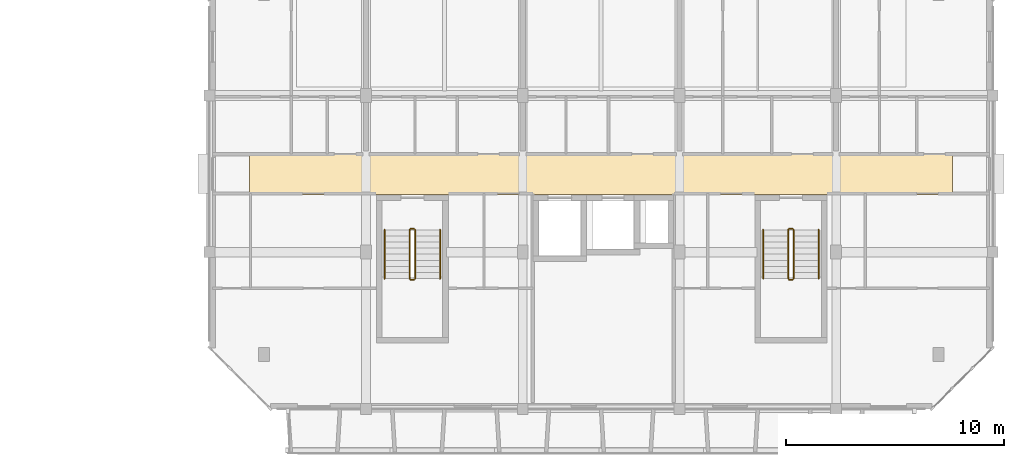
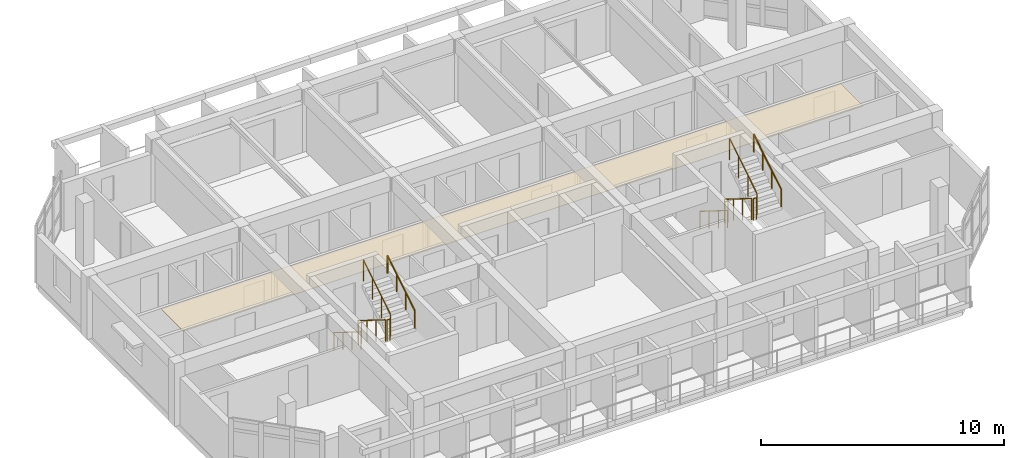
# One storey, part 44 of 45: 12 railings, 1 covering.
"""IFC4 building model written with IfcOpenShell, lengths in metres."""

from ifc_helpers import new_model, si_unit, direction, frame, origin, origin_2d, place, context, subcontext, project, spatial, polyline, circle, outline, extrude, material, layer, layer_set, type_object, element, save


model = new_model("IFC4")

# Units and contexts
model_context = context("Model", 3, precision=1e-05, world=origin(), true_north=direction((0.0, 1.0)))
body_context = subcontext(model_context, "Body", "Model", "MODEL_VIEW")
ifc_project = project(units=[si_unit("LENGTHUNIT", "METRE"), si_unit("AREAUNIT", "SQUARE_METRE"), si_unit("VOLUMEUNIT", "CUBIC_METRE"), si_unit("PLANEANGLEUNIT", "RADIAN"), si_unit("MASSUNIT", "GRAM", prefix="KILO")], contexts=[model_context])

# Site, building, storey
site_placement = place(None, origin())
site = spatial("IfcSite", under=ifc_project, at=site_placement, CompositionType="ELEMENT")
building_placement = place(site_placement, origin())
building = spatial("IfcBuilding", under=site, at=building_placement, Name="Ochrevale Crest", CompositionType="ELEMENT")
storey_placement = place(building_placement, frame((0.0, 0.0, 18.14990234375)))
storey = spatial("IfcBuildingStorey", under=building, at=storey_placement, Name="L05", CompositionType="ELEMENT", Elevation=18.14990234375)

# Covering
ifc_material_1 = material(Name="Gypsum plasterboard", Category="gypsum")
ifc_layer = layer(ifc_material_1, 0.02490234375)
ifc_layer_set = layer_set([ifc_layer], Name="Gypsum plasterboard")
covering_type = type_object("IfcCoveringType", Name="COV-CEIL-GYP", PredefinedType="CEILING", material=ifc_layer_set)
covering_placement = place(storey_placement, frame((0.0, 0.0, 2.280029296875)))
element("IfcCovering", 1, at=covering_placement, inside=storey, type_object=covering_type, Name="Block D L05 acoustic corridor ceiling", PredefinedType="CEILING", context=body_context, shape_type="SweptSolid", body=[
    extrude(outline(polyline([(131.449951171875, 81.860107421875), (163.75, 81.860107421875), (163.75, 83.739990234375), (131.449951171875, 83.739990234375), (131.449951171875, 81.860107421875)])), origin(), (0.0, 0.0, 1.0), 0.025146484375),
])

# Railings
ifc_material_2 = material(Name="Galvanised steel", Category="steel")
railing_type_1 = type_object("IfcRailingType", Name="RL-ST-GUARD", PredefinedType="BALUSTRADE", material=ifc_material_2)
railing_1_placement = place(storey_placement, frame((138.800048828125, 80.22509765625, 0.175048828125)))
element("IfcRailing", 2, at=railing_1_placement, inside=storey, type_object=railing_type_1, Name="L05 ST-D1 stair guard 1", PredefinedType="BALUSTRADE", context=body_context, shape_type="SweptSolid", body=[
    extrude(circle(Radius=0.02392578125, at=origin_2d()), frame((0.0, 0.0, 1.076171875), z_axis=(0.0, -0.847972341737, 0.530040477369), x_axis=(1.0, 0.0, 0.0)), (0.0, 0.0, 1.0), 2.6416015625),
    extrude(circle(Radius=0.02099609375, at=origin_2d()), origin(), (0.0, 0.0, 1.0), 1.052001953125),
    extrude(circle(Radius=0.02099609375, at=origin_2d()), frame((0.0, -0.74658203125, 0.466796875)), (0.0, 0.0, 1.0), 1.052001953125),
    extrude(circle(Radius=0.02099609375, at=origin_2d()), frame((0.0, -1.493408203125, 0.933349609375)), (0.0, 0.0, 1.0), 1.052001953125),
    extrude(circle(Radius=0.02099609375, at=origin_2d()), frame((0.0, -2.239990234375, 1.400146484375)), (0.0, 0.0, 1.0), 1.052001953125),
])
railing_2_placement = place(storey_placement, frame((138.85009765625, 77.93505859375, 1.5751953125)))
element("IfcRailing", 3, at=railing_2_placement, inside=storey, type_object=railing_type_1, Name="L05 ST-D1 stair guard 2", PredefinedType="BALUSTRADE", context=body_context, shape_type="SweptSolid", body=[
    extrude(circle(Radius=0.02392578125, at=origin_2d()), frame((0.0, 0.0, 1.076171875), z_axis=(1.0, 0.0, 0.0), x_axis=(0.0, 1.0, 0.0)), (0.0, 0.0, 1.0), 0.14990234375),
    extrude(circle(Radius=0.02099609375, at=origin_2d()), origin(), (0.0, 0.0, 1.0), 1.052001953125),
    extrude(circle(Radius=0.02099609375, at=origin_2d()), frame((0.14990234375, 0.0, 0.0)), (0.0, 0.0, 1.0), 1.052001953125),
])
railing_3_placement = place(storey_placement, frame((139.050048828125, 77.985107421875, 1.75)))
element("IfcRailing", 4, at=railing_3_placement, inside=storey, type_object=railing_type_1, Name="L05 ST-D1 stair guard 3", PredefinedType="BALUSTRADE", context=body_context, shape_type="SweptSolid", body=[
    extrude(circle(Radius=0.02392578125, at=origin_2d()), frame((0.0, 0.0, 1.076171875), z_axis=(0.0, 0.847972341737, 0.530040477369), x_axis=(-1.0, 0.0, 0.0)), (0.0, 0.0, 1.0), 2.6416015625),
    extrude(circle(Radius=0.02099609375, at=origin_2d()), origin(), (0.0, 0.0, 1.0), 1.052001953125),
    extrude(circle(Radius=0.02099609375, at=origin_2d()), frame((0.0, 0.74658203125, 0.466796875)), (0.0, 0.0, 1.0), 1.052001953125),
    extrude(circle(Radius=0.02099609375, at=origin_2d()), frame((0.0, 1.493408203125, 0.933349609375)), (0.0, 0.0, 1.0), 1.052001953125),
    extrude(circle(Radius=0.02099609375, at=origin_2d()), frame((0.0, 2.239990234375, 1.400146484375)), (0.0, 0.0, 1.0), 1.052001953125),
])
railing_4_placement = place(storey_placement, frame((138.85009765625, 80.27490234375, 0.0)))
element("IfcRailing", 5, at=railing_4_placement, inside=storey, type_object=railing_type_1, Name="L05 ST-D1 stair guard 4", PredefinedType="BALUSTRADE", context=body_context, shape_type="SweptSolid", body=[
    extrude(circle(Radius=0.02392578125, at=origin_2d()), frame((0.0, 0.0, 1.076171875), z_axis=(1.0, 0.0, 0.0), x_axis=(0.0, 1.0, 0.0)), (0.0, 0.0, 1.0), 0.14990234375),
    extrude(circle(Radius=0.02099609375, at=origin_2d()), origin(), (0.0, 0.0, 1.0), 1.052001953125),
    extrude(circle(Radius=0.02099609375, at=origin_2d()), frame((0.14990234375, 0.0, 0.0)), (0.0, 0.0, 1.0), 1.052001953125),
])
railing_5_placement = place(storey_placement, frame((156.199951171875, 80.22509765625, 0.175048828125)))
element("IfcRailing", 6, at=railing_5_placement, inside=storey, type_object=railing_type_1, Name="L05 ST-D2 stair guard 1", PredefinedType="BALUSTRADE", context=body_context, shape_type="SweptSolid", body=[
    extrude(circle(Radius=0.02392578125, at=origin_2d()), frame((0.0, 0.0, 1.076171875), z_axis=(0.0, -0.847972341737, 0.530040477369), x_axis=(1.0, 0.0, 0.0)), (0.0, 0.0, 1.0), 2.6416015625),
    extrude(circle(Radius=0.02099609375, at=origin_2d()), origin(), (0.0, 0.0, 1.0), 1.052001953125),
    extrude(circle(Radius=0.02099609375, at=origin_2d()), frame((0.0, -0.74658203125, 0.466796875)), (0.0, 0.0, 1.0), 1.052001953125),
    extrude(circle(Radius=0.02099609375, at=origin_2d()), frame((0.0, -1.493408203125, 0.933349609375)), (0.0, 0.0, 1.0), 1.052001953125),
    extrude(circle(Radius=0.02099609375, at=origin_2d()), frame((0.0, -2.239990234375, 1.400146484375)), (0.0, 0.0, 1.0), 1.052001953125),
])
railing_6_placement = place(storey_placement, frame((156.25, 77.93505859375, 1.5751953125)))
element("IfcRailing", 7, at=railing_6_placement, inside=storey, type_object=railing_type_1, Name="L05 ST-D2 stair guard 2", PredefinedType="BALUSTRADE", context=body_context, shape_type="SweptSolid", body=[
    extrude(circle(Radius=0.02392578125, at=origin_2d()), frame((0.0, 0.0, 1.076171875), z_axis=(1.0, 0.0, 0.0), x_axis=(0.0, 1.0, 0.0)), (0.0, 0.0, 1.0), 0.14990234375),
    extrude(circle(Radius=0.02099609375, at=origin_2d()), origin(), (0.0, 0.0, 1.0), 1.052001953125),
    extrude(circle(Radius=0.02099609375, at=origin_2d()), frame((0.14990234375, 0.0, 0.0)), (0.0, 0.0, 1.0), 1.052001953125),
])
railing_7_placement = place(storey_placement, frame((156.449951171875, 77.985107421875, 1.75)))
element("IfcRailing", 8, at=railing_7_placement, inside=storey, type_object=railing_type_1, Name="L05 ST-D2 stair guard 3", PredefinedType="BALUSTRADE", context=body_context, shape_type="SweptSolid", body=[
    extrude(circle(Radius=0.02392578125, at=origin_2d()), frame((0.0, 0.0, 1.076171875), z_axis=(0.0, 0.847972341737, 0.530040477369), x_axis=(-1.0, 0.0, 0.0)), (0.0, 0.0, 1.0), 2.6416015625),
    extrude(circle(Radius=0.02099609375, at=origin_2d()), origin(), (0.0, 0.0, 1.0), 1.052001953125),
    extrude(circle(Radius=0.02099609375, at=origin_2d()), frame((0.0, 0.74658203125, 0.466796875)), (0.0, 0.0, 1.0), 1.052001953125),
    extrude(circle(Radius=0.02099609375, at=origin_2d()), frame((0.0, 1.493408203125, 0.933349609375)), (0.0, 0.0, 1.0), 1.052001953125),
    extrude(circle(Radius=0.02099609375, at=origin_2d()), frame((0.0, 2.239990234375, 1.400146484375)), (0.0, 0.0, 1.0), 1.052001953125),
])
railing_8_placement = place(storey_placement, frame((156.25, 80.27490234375, 0.0)))
element("IfcRailing", 9, at=railing_8_placement, inside=storey, type_object=railing_type_1, Name="L05 ST-D2 stair guard 4", PredefinedType="BALUSTRADE", context=body_context, shape_type="SweptSolid", body=[
    extrude(circle(Radius=0.02392578125, at=origin_2d()), frame((0.0, 0.0, 1.076171875), z_axis=(1.0, 0.0, 0.0), x_axis=(0.0, 1.0, 0.0)), (0.0, 0.0, 1.0), 0.14990234375),
    extrude(circle(Radius=0.02099609375, at=origin_2d()), origin(), (0.0, 0.0, 1.0), 1.052001953125),
    extrude(circle(Radius=0.02099609375, at=origin_2d()), frame((0.14990234375, 0.0, 0.0)), (0.0, 0.0, 1.0), 1.052001953125),
])
ifc_material_3 = material(Name="Stainless steel", Category="steel")
railing_type_2 = type_object("IfcRailingType", Name="RL-ST-HRAIL", PredefinedType="HANDRAIL", material=ifc_material_3)
railing_9_placement = place(storey_placement, frame((137.64990234375, 80.22509765625, 0.175048828125)))
element("IfcRailing", 10, at=railing_9_placement, inside=storey, type_object=railing_type_2, Name="L05 ST-D1 stair handrail 1", PredefinedType="HANDRAIL", context=body_context, shape_type="SweptSolid", body=[
    extrude(circle(Radius=0.02392578125, at=origin_2d()), frame((0.0, 0.0, 0.8759765625), z_axis=(0.0, -0.847972341737, 0.530040477369), x_axis=(1.0, 0.0, 0.0)), (0.0, 0.0, 1.0), 2.6416015625),
    extrude(circle(Radius=0.02099609375, at=origin_2d()), origin(), (0.0, 0.0, 1.0), 0.851806640625),
    extrude(circle(Radius=0.02099609375, at=origin_2d()), frame((0.0, -0.74658203125, 0.466796875)), (0.0, 0.0, 1.0), 0.851806640625),
    extrude(circle(Radius=0.02099609375, at=origin_2d()), frame((0.0, -1.493408203125, 0.933349609375)), (0.0, 0.0, 1.0), 0.851806640625),
    extrude(circle(Radius=0.02099609375, at=origin_2d()), frame((0.0, -2.239990234375, 1.400146484375)), (0.0, 0.0, 1.0), 0.851806640625),
])
railing_10_placement = place(storey_placement, frame((140.199951171875, 77.985107421875, 1.75)))
element("IfcRailing", 11, at=railing_10_placement, inside=storey, type_object=railing_type_2, Name="L05 ST-D1 stair handrail 2", PredefinedType="HANDRAIL", context=body_context, shape_type="SweptSolid", body=[
    extrude(circle(Radius=0.02392578125, at=origin_2d()), frame((0.0, 0.0, 0.8759765625), z_axis=(0.0, 0.847972341737, 0.530040477369), x_axis=(-1.0, 0.0, 0.0)), (0.0, 0.0, 1.0), 2.6416015625),
    extrude(circle(Radius=0.02099609375, at=origin_2d()), origin(), (0.0, 0.0, 1.0), 0.851806640625),
    extrude(circle(Radius=0.02099609375, at=origin_2d()), frame((0.0, 0.74658203125, 0.466796875)), (0.0, 0.0, 1.0), 0.851806640625),
    extrude(circle(Radius=0.02099609375, at=origin_2d()), frame((0.0, 1.493408203125, 0.933349609375)), (0.0, 0.0, 1.0), 0.851806640625),
    extrude(circle(Radius=0.02099609375, at=origin_2d()), frame((0.0, 2.239990234375, 1.400146484375)), (0.0, 0.0, 1.0), 0.851806640625),
])
railing_11_placement = place(storey_placement, frame((155.050048828125, 80.22509765625, 0.175048828125)))
element("IfcRailing", 12, at=railing_11_placement, inside=storey, type_object=railing_type_2, Name="L05 ST-D2 stair handrail 1", PredefinedType="HANDRAIL", context=body_context, shape_type="SweptSolid", body=[
    extrude(circle(Radius=0.02392578125, at=origin_2d()), frame((0.0, 0.0, 0.8759765625), z_axis=(0.0, -0.847972341737, 0.530040477369), x_axis=(1.0, 0.0, 0.0)), (0.0, 0.0, 1.0), 2.6416015625),
    extrude(circle(Radius=0.02099609375, at=origin_2d()), origin(), (0.0, 0.0, 1.0), 0.851806640625),
    extrude(circle(Radius=0.02099609375, at=origin_2d()), frame((0.0, -0.74658203125, 0.466796875)), (0.0, 0.0, 1.0), 0.851806640625),
    extrude(circle(Radius=0.02099609375, at=origin_2d()), frame((0.0, -1.493408203125, 0.933349609375)), (0.0, 0.0, 1.0), 0.851806640625),
    extrude(circle(Radius=0.02099609375, at=origin_2d()), frame((0.0, -2.239990234375, 1.400146484375)), (0.0, 0.0, 1.0), 0.851806640625),
])
railing_12_placement = place(storey_placement, frame((157.60009765625, 77.985107421875, 1.75)))
element("IfcRailing", 13, at=railing_12_placement, inside=storey, type_object=railing_type_2, Name="L05 ST-D2 stair handrail 2", PredefinedType="HANDRAIL", context=body_context, shape_type="SweptSolid", body=[
    extrude(circle(Radius=0.02392578125, at=origin_2d()), frame((0.0, 0.0, 0.8759765625), z_axis=(0.0, 0.847972341737, 0.530040477369), x_axis=(-1.0, 0.0, 0.0)), (0.0, 0.0, 1.0), 2.6416015625),
    extrude(circle(Radius=0.02099609375, at=origin_2d()), origin(), (0.0, 0.0, 1.0), 0.851806640625),
    extrude(circle(Radius=0.02099609375, at=origin_2d()), frame((0.0, 0.74658203125, 0.466796875)), (0.0, 0.0, 1.0), 0.851806640625),
    extrude(circle(Radius=0.02099609375, at=origin_2d()), frame((0.0, 1.493408203125, 0.933349609375)), (0.0, 0.0, 1.0), 0.851806640625),
    extrude(circle(Radius=0.02099609375, at=origin_2d()), frame((0.0, 2.239990234375, 1.400146484375)), (0.0, 0.0, 1.0), 0.851806640625),
])

save(model, "model.ifc")
